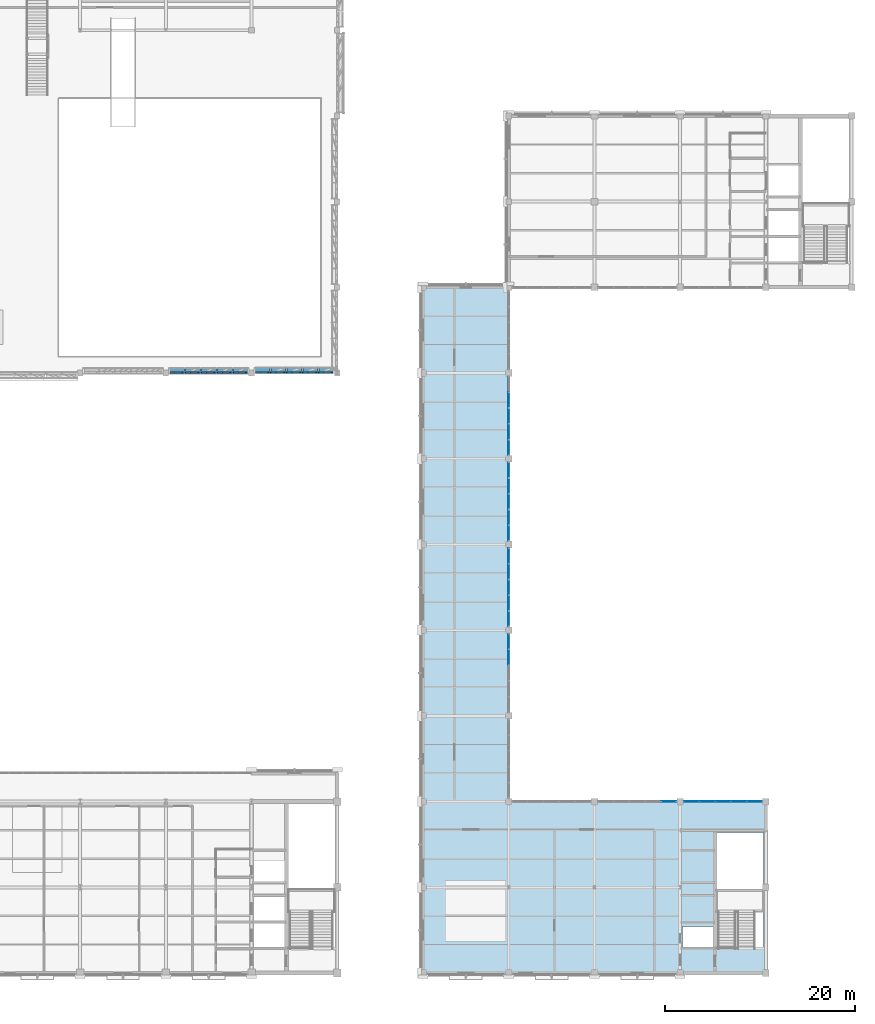
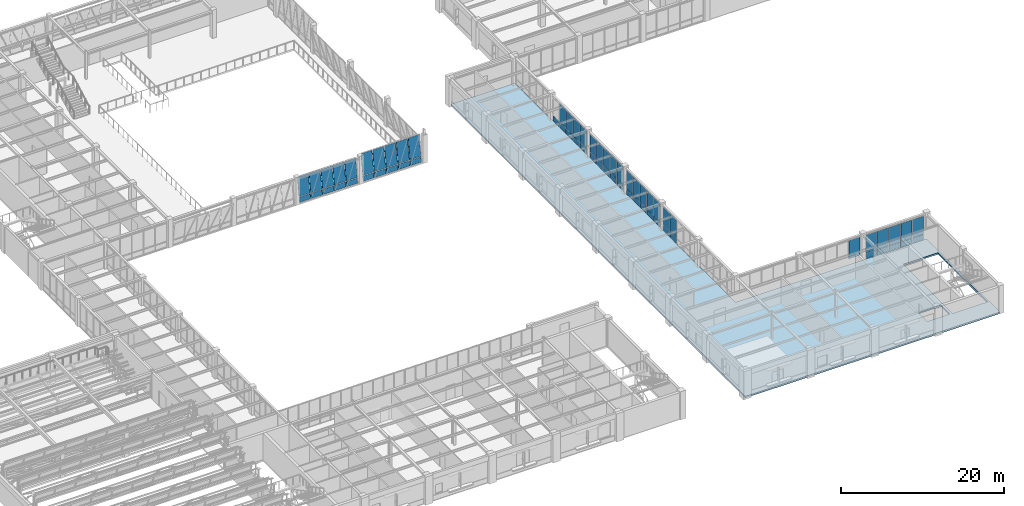
# One storey, part 83 of 108: 64 plates, 1 slab, 1 opening, 8 elements without a shape of their own.
"""IFC4 building model written with IfcOpenShell, lengths in metres."""

from ifc_helpers import new_model, si_unit, direction, frame, origin, origin_2d, place, context, subcontext, project, spatial, polyline, rectangle, outline, extrude, material, layer, layer_set, type_object, element, aggregate, save


model = new_model("IFC4")

# Units and contexts
model_context = context("Model", 3, precision=1e-05, world=origin(), true_north=direction((0.0, 1.0)))
body_context = subcontext(model_context, "Body", "Model", "MODEL_VIEW")
ifc_project = project(units=[si_unit("LENGTHUNIT", "METRE"), si_unit("AREAUNIT", "SQUARE_METRE"), si_unit("VOLUMEUNIT", "CUBIC_METRE"), si_unit("PLANEANGLEUNIT", "RADIAN"), si_unit("MASSUNIT", "GRAM", prefix="KILO")], contexts=[model_context])

# Site, building, storey
site_placement = place(None, origin())
site = spatial("IfcSite", under=ifc_project, at=site_placement, CompositionType="ELEMENT")
building_placement = place(site_placement, origin())
building = spatial("IfcBuilding", under=site, at=building_placement, Name="Lykobir Media Centre", CompositionType="ELEMENT")
storey_placement = place(building_placement, frame((0.0, 0.0, 15.0)))
storey = spatial("IfcBuildingStorey", under=building, at=storey_placement, Name="L03", CompositionType="ELEMENT", Elevation=15.0)

# Curtain wall, plate
ifc_material_1 = material(Name="Anodized Aluminium AW-6060", Category="aluminium")
curtain_wall_type_1 = type_object("IfcCurtainWallType", Name="CW-COURT-B", PredefinedType="NOTDEFINED", material=ifc_material_1)
curtain_wall_1_placement = place(storey_placement, origin())
curtain_wall_1 = element("IfcCurtainWall", 1, at=curtain_wall_1_placement, inside=storey, type_object=curtain_wall_type_1, Name="Curtain wall CW2-L03-0138", PredefinedType="NOTDEFINED")
ifc_material_2 = material(Name="Low-E Laminated Triple Glazing", Category="glass")
ifc_layer_1 = layer(ifc_material_2, 0.0380859375, Name="Low-E Laminated Triple Glazing")
ifc_layer_set_1 = layer_set([ifc_layer_1], Name="Low-E Laminated Triple Glazing")
plate_type_1 = type_object("IfcPlateType", Name="CWP-GLZ-38", PredefinedType="CURTAIN_PANEL", material=ifc_layer_set_1)
plate_1_placement = place(storey_placement, frame((115.80224609375, 18.0, 0.87744140625), z_axis=(0.0, 0.0, 1.0), x_axis=(1.0, 0.0, 0.0)))
plate_1 = element("IfcPlate", 2, at=plate_1_placement, type_object=plate_type_1, Name="CW2-L03-0138 panel 5.2", PredefinedType="CURTAIN_PANEL", context=body_context, shape_type="SweptSolid", body=[
    extrude(rectangle(XDim=1.575439453125, YDim=0.0380859375, at=origin_2d()), origin(), (0.0, 0.0, 1.0), 2.702392578125),
])
aggregate(curtain_wall_1, [plate_1])

# Curtain wall, plates
curtain_wall_2_placement = place(storey_placement, origin())
curtain_wall_2 = element("IfcCurtainWall", 3, at=curtain_wall_2_placement, inside=storey, type_object=curtain_wall_type_1, Name="Curtain wall CW2-L03-0139", PredefinedType="NOTDEFINED")
plate_2_placement = place(storey_placement, frame((118.19775390625, 18.0, 0.87744140625), z_axis=(0.0, 0.0, 1.0), x_axis=(1.0, 0.0, 0.0)))
plate_2 = element("IfcPlate", 4, at=plate_2_placement, type_object=plate_type_1, Name="CW2-L03-0139 panel 1.2", PredefinedType="CURTAIN_PANEL", context=body_context, shape_type="SweptSolid", body=[
    extrude(rectangle(XDim=1.575439453125, YDim=0.0380859375, at=origin_2d()), origin(), (0.0, 0.0, 1.0), 2.702392578125),
])
plate_3_placement = place(storey_placement, frame((119.842041015625, 18.0, 0.87744140625), z_axis=(0.0, 0.0, 1.0), x_axis=(1.0, 0.0, 0.0)))
plate_3 = element("IfcPlate", 5, at=plate_3_placement, type_object=plate_type_1, Name="CW2-L03-0139 panel 2.2", PredefinedType="CURTAIN_PANEL", context=body_context, shape_type="SweptSolid", body=[
    extrude(rectangle(XDim=1.60302734375, YDim=0.0380859375, at=origin_2d()), origin(), (0.0, 0.0, 1.0), 2.702392578125),
])
plate_4_placement = place(storey_placement, frame((121.5, 18.0, 0.87744140625), z_axis=(0.0, 0.0, 1.0), x_axis=(1.0, 0.0, 0.0)))
plate_4 = element("IfcPlate", 6, at=plate_4_placement, type_object=plate_type_1, Name="CW2-L03-0139 panel 3.2", PredefinedType="CURTAIN_PANEL", context=body_context, shape_type="SweptSolid", body=[
    extrude(rectangle(XDim=1.60302734375, YDim=0.0380859375, at=origin_2d()), origin(), (0.0, 0.0, 1.0), 2.702392578125),
])
plate_5_placement = place(storey_placement, frame((123.157958984375, 18.0, 0.87744140625), z_axis=(0.0, 0.0, 1.0), x_axis=(1.0, 0.0, 0.0)))
plate_5 = element("IfcPlate", 7, at=plate_5_placement, type_object=plate_type_1, Name="CW2-L03-0139 panel 4.2", PredefinedType="CURTAIN_PANEL", context=body_context, shape_type="SweptSolid", body=[
    extrude(rectangle(XDim=1.60302734375, YDim=0.0380859375, at=origin_2d()), origin(), (0.0, 0.0, 1.0), 2.702392578125),
])
plate_6_placement = place(storey_placement, frame((124.80224609375, 18.0, 0.87744140625), z_axis=(0.0, 0.0, 1.0), x_axis=(1.0, 0.0, 0.0)))
plate_6 = element("IfcPlate", 8, at=plate_6_placement, type_object=plate_type_1, Name="CW2-L03-0139 panel 5.2", PredefinedType="CURTAIN_PANEL", context=body_context, shape_type="SweptSolid", body=[
    extrude(rectangle(XDim=1.575439453125, YDim=0.0380859375, at=origin_2d()), origin(), (0.0, 0.0, 1.0), 2.702392578125),
])

curtain_wall_3_placement = place(storey_placement, origin())
curtain_wall_3 = element("IfcCurtainWall", 9, at=curtain_wall_3_placement, inside=storey, type_object=curtain_wall_type_1, Name="Curtain wall CW2-L03-0141", PredefinedType="NOTDEFINED")
plate_7_placement = place(storey_placement, frame((99.0, 34.80224609375, 0.87744140625), z_axis=(0.0, 0.0, 1.0), x_axis=(0.0, -1.0, 0.0)))
plate_7 = element("IfcPlate", 10, at=plate_7_placement, type_object=plate_type_1, Name="CW2-L03-0141 panel 1.2", PredefinedType="CURTAIN_PANEL", context=body_context, shape_type="SweptSolid", body=[
    extrude(rectangle(XDim=1.575439453125, YDim=0.0380859375, at=origin_2d()), origin(), (0.0, 0.0, 1.0), 2.702392578125),
])
plate_8_placement = place(storey_placement, frame((99.0, 33.157958984375, 0.87744140625), z_axis=(0.0, 0.0, 1.0), x_axis=(0.0, -1.0, 0.0)))
plate_8 = element("IfcPlate", 11, at=plate_8_placement, type_object=plate_type_1, Name="CW2-L03-0141 panel 2.2", PredefinedType="CURTAIN_PANEL", context=body_context, shape_type="SweptSolid", body=[
    extrude(rectangle(XDim=1.60302734375, YDim=0.0380859375, at=origin_2d()), origin(), (0.0, 0.0, 1.0), 2.702392578125),
])

curtain_wall_4_placement = place(storey_placement, origin())
curtain_wall_4 = element("IfcCurtainWall", 12, at=curtain_wall_4_placement, inside=storey, type_object=curtain_wall_type_1, Name="Curtain wall CW2-L03-0142", PredefinedType="NOTDEFINED")
plate_9_placement = place(storey_placement, frame((99.0, 43.80224609375, 0.87744140625), z_axis=(0.0, 0.0, 1.0), x_axis=(0.0, -1.0, 0.0)))
plate_9 = element("IfcPlate", 13, at=plate_9_placement, type_object=plate_type_1, Name="CW2-L03-0142 panel 1.2", PredefinedType="CURTAIN_PANEL", context=body_context, shape_type="SweptSolid", body=[
    extrude(rectangle(XDim=1.575439453125, YDim=0.0380859375, at=origin_2d()), origin(), (0.0, 0.0, 1.0), 2.702392578125),
])
plate_10_placement = place(storey_placement, frame((99.0, 42.157958984375, 0.87744140625), z_axis=(0.0, 0.0, 1.0), x_axis=(0.0, -1.0, 0.0)))
plate_10 = element("IfcPlate", 14, at=plate_10_placement, type_object=plate_type_1, Name="CW2-L03-0142 panel 2.2", PredefinedType="CURTAIN_PANEL", context=body_context, shape_type="SweptSolid", body=[
    extrude(rectangle(XDim=1.60302734375, YDim=0.0380859375, at=origin_2d()), origin(), (0.0, 0.0, 1.0), 2.702392578125),
])
plate_11_placement = place(storey_placement, frame((99.0, 40.5, 0.87744140625), z_axis=(0.0, 0.0, 1.0), x_axis=(0.0, -1.0, 0.0)))
plate_11 = element("IfcPlate", 15, at=plate_11_placement, type_object=plate_type_1, Name="CW2-L03-0142 panel 3.2", PredefinedType="CURTAIN_PANEL", context=body_context, shape_type="SweptSolid", body=[
    extrude(rectangle(XDim=1.60302734375, YDim=0.0380859375, at=origin_2d()), origin(), (0.0, 0.0, 1.0), 2.702392578125),
])
plate_12_placement = place(storey_placement, frame((99.0, 38.842041015625, 0.87744140625), z_axis=(0.0, 0.0, 1.0), x_axis=(0.0, -1.0, 0.0)))
plate_12 = element("IfcPlate", 16, at=plate_12_placement, type_object=plate_type_1, Name="CW2-L03-0142 panel 4.2", PredefinedType="CURTAIN_PANEL", context=body_context, shape_type="SweptSolid", body=[
    extrude(rectangle(XDim=1.60302734375, YDim=0.0380859375, at=origin_2d()), origin(), (0.0, 0.0, 1.0), 2.702392578125),
])
plate_13_placement = place(storey_placement, frame((99.0, 37.19775390625, 0.87744140625), z_axis=(0.0, 0.0, 1.0), x_axis=(0.0, -1.0, 0.0)))
plate_13 = element("IfcPlate", 17, at=plate_13_placement, type_object=plate_type_1, Name="CW2-L03-0142 panel 5.2", PredefinedType="CURTAIN_PANEL", context=body_context, shape_type="SweptSolid", body=[
    extrude(rectangle(XDim=1.575439453125, YDim=0.0380859375, at=origin_2d()), origin(), (0.0, 0.0, 1.0), 2.702392578125),
])

curtain_wall_5_placement = place(storey_placement, origin())
curtain_wall_5 = element("IfcCurtainWall", 18, at=curtain_wall_5_placement, inside=storey, type_object=curtain_wall_type_1, Name="Curtain wall CW2-L03-0143", PredefinedType="NOTDEFINED")
plate_14_placement = place(storey_placement, frame((99.0, 52.80224609375, 0.87744140625), z_axis=(0.0, 0.0, 1.0), x_axis=(0.0, -1.0, 0.0)))
plate_14 = element("IfcPlate", 19, at=plate_14_placement, type_object=plate_type_1, Name="CW2-L03-0143 panel 1.2", PredefinedType="CURTAIN_PANEL", context=body_context, shape_type="SweptSolid", body=[
    extrude(rectangle(XDim=1.575439453125, YDim=0.0380859375, at=origin_2d()), origin(), (0.0, 0.0, 1.0), 2.702392578125),
])
plate_15_placement = place(storey_placement, frame((99.0, 51.157958984375, 0.87744140625), z_axis=(0.0, 0.0, 1.0), x_axis=(0.0, -1.0, 0.0)))
plate_15 = element("IfcPlate", 20, at=plate_15_placement, type_object=plate_type_1, Name="CW2-L03-0143 panel 2.2", PredefinedType="CURTAIN_PANEL", context=body_context, shape_type="SweptSolid", body=[
    extrude(rectangle(XDim=1.60302734375, YDim=0.0380859375, at=origin_2d()), origin(), (0.0, 0.0, 1.0), 2.702392578125),
])
plate_16_placement = place(storey_placement, frame((99.0, 49.5, 0.87744140625), z_axis=(0.0, 0.0, 1.0), x_axis=(0.0, -1.0, 0.0)))
plate_16 = element("IfcPlate", 21, at=plate_16_placement, type_object=plate_type_1, Name="CW2-L03-0143 panel 3.2", PredefinedType="CURTAIN_PANEL", context=body_context, shape_type="SweptSolid", body=[
    extrude(rectangle(XDim=1.60302734375, YDim=0.0380859375, at=origin_2d()), origin(), (0.0, 0.0, 1.0), 2.702392578125),
])
plate_17_placement = place(storey_placement, frame((99.0, 47.842041015625, 0.87744140625), z_axis=(0.0, 0.0, 1.0), x_axis=(0.0, -1.0, 0.0)))
plate_17 = element("IfcPlate", 22, at=plate_17_placement, type_object=plate_type_1, Name="CW2-L03-0143 panel 4.2", PredefinedType="CURTAIN_PANEL", context=body_context, shape_type="SweptSolid", body=[
    extrude(rectangle(XDim=1.60302734375, YDim=0.0380859375, at=origin_2d()), origin(), (0.0, 0.0, 1.0), 2.702392578125),
])
plate_18_placement = place(storey_placement, frame((99.0, 46.19775390625, 0.87744140625), z_axis=(0.0, 0.0, 1.0), x_axis=(0.0, -1.0, 0.0)))
plate_18 = element("IfcPlate", 23, at=plate_18_placement, type_object=plate_type_1, Name="CW2-L03-0143 panel 5.2", PredefinedType="CURTAIN_PANEL", context=body_context, shape_type="SweptSolid", body=[
    extrude(rectangle(XDim=1.575439453125, YDim=0.0380859375, at=origin_2d()), origin(), (0.0, 0.0, 1.0), 2.702392578125),
])

curtain_wall_6_placement = place(storey_placement, origin())
curtain_wall_6 = element("IfcCurtainWall", 24, at=curtain_wall_6_placement, inside=storey, type_object=curtain_wall_type_1, Name="Curtain wall CW2-L03-0144", PredefinedType="NOTDEFINED")
plate_19_placement = place(storey_placement, frame((99.0, 60.157958984375, 0.87744140625), z_axis=(0.0, 0.0, 1.0), x_axis=(0.0, -1.0, 0.0)))
plate_19 = element("IfcPlate", 25, at=plate_19_placement, type_object=plate_type_1, Name="CW2-L03-0144 panel 2.2", PredefinedType="CURTAIN_PANEL", context=body_context, shape_type="SweptSolid", body=[
    extrude(rectangle(XDim=1.60302734375, YDim=0.0380859375, at=origin_2d()), origin(), (0.0, 0.0, 1.0), 2.702392578125),
])
plate_20_placement = place(storey_placement, frame((99.0, 58.5, 0.87744140625), z_axis=(0.0, 0.0, 1.0), x_axis=(0.0, -1.0, 0.0)))
plate_20 = element("IfcPlate", 26, at=plate_20_placement, type_object=plate_type_1, Name="CW2-L03-0144 panel 3.2", PredefinedType="CURTAIN_PANEL", context=body_context, shape_type="SweptSolid", body=[
    extrude(rectangle(XDim=1.60302734375, YDim=0.0380859375, at=origin_2d()), origin(), (0.0, 0.0, 1.0), 2.702392578125),
])
plate_21_placement = place(storey_placement, frame((99.0, 56.842041015625, 0.87744140625), z_axis=(0.0, 0.0, 1.0), x_axis=(0.0, -1.0, 0.0)))
plate_21 = element("IfcPlate", 27, at=plate_21_placement, type_object=plate_type_1, Name="CW2-L03-0144 panel 4.2", PredefinedType="CURTAIN_PANEL", context=body_context, shape_type="SweptSolid", body=[
    extrude(rectangle(XDim=1.60302734375, YDim=0.0380859375, at=origin_2d()), origin(), (0.0, 0.0, 1.0), 2.702392578125),
])
plate_22_placement = place(storey_placement, frame((99.0, 55.19775390625, 0.87744140625), z_axis=(0.0, 0.0, 1.0), x_axis=(0.0, -1.0, 0.0)))
plate_22 = element("IfcPlate", 28, at=plate_22_placement, type_object=plate_type_1, Name="CW2-L03-0144 panel 5.2", PredefinedType="CURTAIN_PANEL", context=body_context, shape_type="SweptSolid", body=[
    extrude(rectangle(XDim=1.575439453125, YDim=0.0380859375, at=origin_2d()), origin(), (0.0, 0.0, 1.0), 2.702392578125),
])

curtain_wall_type_2 = type_object("IfcCurtainWallType", Name="CW-V6-CR3", PredefinedType="NOTDEFINED", material=ifc_material_1)
curtain_wall_7_placement = place(storey_placement, origin())
curtain_wall_7 = element("IfcCurtainWall", 29, at=curtain_wall_7_placement, inside=storey, type_object=curtain_wall_type_2, Name="Curtain wall CW2-L03-0123", PredefinedType="NOTDEFINED")
ifc_layer_2 = layer(ifc_material_2, 0.0439453125, Name="Low-E Laminated Triple Glazing")
ifc_layer_set_2 = layer_set([ifc_layer_2], Name="Low-E Laminated Triple Glazing")
plate_type_2 = type_object("IfcPlateType", Name="CWP-GLZ-44", PredefinedType="CURTAIN_PANEL", material=ifc_layer_set_2)
plate_23_placement = place(storey_placement, frame((70.837158203125, 63.126708984375, 0.87841796875), z_axis=(0.0, 0.142628933706, 0.989776230908), x_axis=(-1.0, 0.0, 0.0)))
plate_23 = element("IfcPlate", 30, at=plate_23_placement, type_object=plate_type_2, Name="CW2-L03-0123 panel 1.2", PredefinedType="CURTAIN_PANEL", context=body_context, shape_type="SweptSolid", body=[
    extrude(rectangle(XDim=1.5654296875, YDim=0.0439453125, at=origin_2d()), origin(), (0.0, 0.0, 1.0), 2.7099609375),
])
plate_24_placement = place(storey_placement, frame((69.177978515625, 63.126708984375, 0.87841796875), z_axis=(0.0, 0.142628933706, 0.989776230908), x_axis=(-1.0, 0.0, 0.0)))
plate_24 = element("IfcPlate", 31, at=plate_24_placement, type_object=plate_type_2, Name="CW2-L03-0123 panel 2.2", PredefinedType="CURTAIN_PANEL", context=body_context, shape_type="SweptSolid", body=[
    extrude(rectangle(XDim=1.60302734375, YDim=0.0439453125, at=origin_2d()), origin(), (0.0, 0.0, 1.0), 2.7099609375),
])
plate_25_placement = place(storey_placement, frame((67.5, 63.126708984375, 0.87841796875), z_axis=(0.0, 0.142628933706, 0.989776230908), x_axis=(-1.0, 0.0, 0.0)))
plate_25 = element("IfcPlate", 32, at=plate_25_placement, type_object=plate_type_2, Name="CW2-L03-0123 panel 3.2", PredefinedType="CURTAIN_PANEL", context=body_context, shape_type="SweptSolid", body=[
    extrude(rectangle(XDim=1.60302734375, YDim=0.0439453125, at=origin_2d()), origin(), (0.0, 0.0, 1.0), 2.7099609375),
])
plate_26_placement = place(storey_placement, frame((65.822021484375, 63.126708984375, 0.87841796875), z_axis=(0.0, 0.142628933706, 0.989776230908), x_axis=(-1.0, 0.0, 0.0)))
plate_26 = element("IfcPlate", 33, at=plate_26_placement, type_object=plate_type_2, Name="CW2-L03-0123 panel 4.2", PredefinedType="CURTAIN_PANEL", context=body_context, shape_type="SweptSolid", body=[
    extrude(rectangle(XDim=1.60302734375, YDim=0.0439453125, at=origin_2d()), origin(), (0.0, 0.0, 1.0), 2.7099609375),
])
plate_27_placement = place(storey_placement, frame((64.162841796875, 63.126708984375, 0.87841796875), z_axis=(0.0, 0.142628933706, 0.989776230908), x_axis=(-1.0, 0.0, 0.0)))
plate_27 = element("IfcPlate", 34, at=plate_27_placement, type_object=plate_type_2, Name="CW2-L03-0123 panel 5.2", PredefinedType="CURTAIN_PANEL", context=body_context, shape_type="SweptSolid", body=[
    extrude(rectangle(XDim=1.5654296875, YDim=0.0439453125, at=origin_2d()), origin(), (0.0, 0.0, 1.0), 2.7099609375),
])

curtain_wall_8_placement = place(storey_placement, origin())
curtain_wall_8 = element("IfcCurtainWall", 35, at=curtain_wall_8_placement, inside=storey, type_object=curtain_wall_type_2, Name="Curtain wall CW2-L03-0124", PredefinedType="NOTDEFINED")
plate_28_placement = place(storey_placement, frame((79.837158203125, 63.126708984375, 0.87841796875), z_axis=(0.0, 0.142628933706, 0.989776230908), x_axis=(-1.0, 0.0, 0.0)))
plate_28 = element("IfcPlate", 36, at=plate_28_placement, type_object=plate_type_2, Name="CW2-L03-0124 panel 1.2", PredefinedType="CURTAIN_PANEL", context=body_context, shape_type="SweptSolid", body=[
    extrude(rectangle(XDim=1.5654296875, YDim=0.0439453125, at=origin_2d()), origin(), (0.0, 0.0, 1.0), 3.018310546875),
])
plate_29_placement = place(storey_placement, frame((78.177978515625, 63.126708984375, 0.87841796875), z_axis=(0.0, 0.142628933706, 0.989776230908), x_axis=(-1.0, 0.0, 0.0)))
plate_29 = element("IfcPlate", 37, at=plate_29_placement, type_object=plate_type_2, Name="CW2-L03-0124 panel 2.2", PredefinedType="CURTAIN_PANEL", context=body_context, shape_type="SweptSolid", body=[
    extrude(rectangle(XDim=1.60302734375, YDim=0.0439453125, at=origin_2d()), origin(), (0.0, 0.0, 1.0), 3.018310546875),
])
plate_30_placement = place(storey_placement, frame((76.5, 63.126708984375, 0.87841796875), z_axis=(0.0, 0.142628933706, 0.989776230908), x_axis=(-1.0, 0.0, 0.0)))
plate_30 = element("IfcPlate", 38, at=plate_30_placement, type_object=plate_type_2, Name="CW2-L03-0124 panel 3.2", PredefinedType="CURTAIN_PANEL", context=body_context, shape_type="SweptSolid", body=[
    extrude(rectangle(XDim=1.60302734375, YDim=0.0439453125, at=origin_2d()), origin(), (0.0, 0.0, 1.0), 3.018310546875),
])
plate_31_placement = place(storey_placement, frame((74.822021484375, 63.126708984375, 0.87841796875), z_axis=(0.0, 0.142628933706, 0.989776230908), x_axis=(-1.0, 0.0, 0.0)))
plate_31 = element("IfcPlate", 39, at=plate_31_placement, type_object=plate_type_2, Name="CW2-L03-0124 panel 4.2", PredefinedType="CURTAIN_PANEL", context=body_context, shape_type="SweptSolid", body=[
    extrude(rectangle(XDim=1.60302734375, YDim=0.0439453125, at=origin_2d()), origin(), (0.0, 0.0, 1.0), 3.018310546875),
])
plate_32_placement = place(storey_placement, frame((73.162841796875, 63.126708984375, 0.87841796875), z_axis=(0.0, 0.142628933706, 0.989776230908), x_axis=(-1.0, 0.0, 0.0)))
plate_32 = element("IfcPlate", 40, at=plate_32_placement, type_object=plate_type_2, Name="CW2-L03-0124 panel 5.2", PredefinedType="CURTAIN_PANEL", context=body_context, shape_type="SweptSolid", body=[
    extrude(rectangle(XDim=1.5654296875, YDim=0.0439453125, at=origin_2d()), origin(), (0.0, 0.0, 1.0), 3.018310546875),
])

# Plate
ifc_material_3 = material(Name="Pre-Weathered Titanium-Zinc", Category="metal")
ifc_layer_3 = layer(ifc_material_3, 0.052001953125, Name="Pre-Weathered Titanium-Zinc")
ifc_layer_set_3 = layer_set([ifc_layer_3], Name="Pre-Weathered Titanium-Zinc")
plate_type_3 = type_object("IfcPlateType", Name="CWP-SPN-52", PredefinedType="CURTAIN_PANEL", material=ifc_layer_set_3)
plate_33_placement = place(storey_placement, frame((70.837158203125, 63.0107421875, 0.07421875), z_axis=(0.0, 0.142628933706, 0.989776230908), x_axis=(-1.0, 0.0, 0.0)))
plate_33 = element("IfcPlate", 41, at=plate_33_placement, type_object=plate_type_3, Name="CW2-L03-0123 panel 1.1", PredefinedType="CURTAIN_PANEL", context=body_context, shape_type="SweptSolid", body=[
    extrude(rectangle(XDim=1.5654296875, YDim=0.052001953125, at=origin_2d()), origin(), (0.0, 0.0, 1.0), 0.737548828125),
])

plate_34_placement = place(storey_placement, frame((69.177978515625, 63.0107421875, 0.07421875), z_axis=(0.0, 0.142628933706, 0.989776230908), x_axis=(-1.0, 0.0, 0.0)))
plate_34 = element("IfcPlate", 42, at=plate_34_placement, type_object=plate_type_3, Name="CW2-L03-0123 panel 2.1", PredefinedType="CURTAIN_PANEL", context=body_context, shape_type="SweptSolid", body=[
    extrude(rectangle(XDim=1.60302734375, YDim=0.052001953125, at=origin_2d()), origin(), (0.0, 0.0, 1.0), 0.737548828125),
])

plate_35_placement = place(storey_placement, frame((67.5, 63.0107421875, 0.07421875), z_axis=(0.0, 0.142628933706, 0.989776230908), x_axis=(-1.0, 0.0, 0.0)))
plate_35 = element("IfcPlate", 43, at=plate_35_placement, type_object=plate_type_3, Name="CW2-L03-0123 panel 3.1", PredefinedType="CURTAIN_PANEL", context=body_context, shape_type="SweptSolid", body=[
    extrude(rectangle(XDim=1.60302734375, YDim=0.052001953125, at=origin_2d()), origin(), (0.0, 0.0, 1.0), 0.737548828125),
])

plate_36_placement = place(storey_placement, frame((65.822021484375, 63.0107421875, 0.07421875), z_axis=(0.0, 0.142628933706, 0.989776230908), x_axis=(-1.0, 0.0, 0.0)))
plate_36 = element("IfcPlate", 44, at=plate_36_placement, type_object=plate_type_3, Name="CW2-L03-0123 panel 4.1", PredefinedType="CURTAIN_PANEL", context=body_context, shape_type="SweptSolid", body=[
    extrude(rectangle(XDim=1.60302734375, YDim=0.052001953125, at=origin_2d()), origin(), (0.0, 0.0, 1.0), 0.737548828125),
])

plate_37_placement = place(storey_placement, frame((64.162841796875, 63.0107421875, 0.07421875), z_axis=(0.0, 0.142628933706, 0.989776230908), x_axis=(-1.0, 0.0, 0.0)))
plate_37 = element("IfcPlate", 45, at=plate_37_placement, type_object=plate_type_3, Name="CW2-L03-0123 panel 5.1", PredefinedType="CURTAIN_PANEL", context=body_context, shape_type="SweptSolid", body=[
    extrude(rectangle(XDim=1.5654296875, YDim=0.052001953125, at=origin_2d()), origin(), (0.0, 0.0, 1.0), 0.737548828125),
])

aggregate(curtain_wall_7, [plate_33, plate_23, plate_34, plate_24, plate_35, plate_25, plate_36, plate_26, plate_37, plate_27])

plate_38_placement = place(storey_placement, frame((79.837158203125, 63.0107421875, 0.07421875), z_axis=(0.0, 0.142628933706, 0.989776230908), x_axis=(-1.0, 0.0, 0.0)))
plate_38 = element("IfcPlate", 46, at=plate_38_placement, type_object=plate_type_3, Name="CW2-L03-0124 panel 1.1", PredefinedType="CURTAIN_PANEL", context=body_context, shape_type="SweptSolid", body=[
    extrude(rectangle(XDim=1.5654296875, YDim=0.052001953125, at=origin_2d()), origin(), (0.0, 0.0, 1.0), 0.737548828125),
])

plate_39_placement = place(storey_placement, frame((78.177978515625, 63.0107421875, 0.07421875), z_axis=(0.0, 0.142628933706, 0.989776230908), x_axis=(-1.0, 0.0, 0.0)))
plate_39 = element("IfcPlate", 47, at=plate_39_placement, type_object=plate_type_3, Name="CW2-L03-0124 panel 2.1", PredefinedType="CURTAIN_PANEL", context=body_context, shape_type="SweptSolid", body=[
    extrude(rectangle(XDim=1.60302734375, YDim=0.052001953125, at=origin_2d()), origin(), (0.0, 0.0, 1.0), 0.737548828125),
])

plate_40_placement = place(storey_placement, frame((76.5, 63.0107421875, 0.07421875), z_axis=(0.0, 0.142628933706, 0.989776230908), x_axis=(-1.0, 0.0, 0.0)))
plate_40 = element("IfcPlate", 48, at=plate_40_placement, type_object=plate_type_3, Name="CW2-L03-0124 panel 3.1", PredefinedType="CURTAIN_PANEL", context=body_context, shape_type="SweptSolid", body=[
    extrude(rectangle(XDim=1.60302734375, YDim=0.052001953125, at=origin_2d()), origin(), (0.0, 0.0, 1.0), 0.737548828125),
])

plate_41_placement = place(storey_placement, frame((74.822021484375, 63.0107421875, 0.07421875), z_axis=(0.0, 0.142628933706, 0.989776230908), x_axis=(-1.0, 0.0, 0.0)))
plate_41 = element("IfcPlate", 49, at=plate_41_placement, type_object=plate_type_3, Name="CW2-L03-0124 panel 4.1", PredefinedType="CURTAIN_PANEL", context=body_context, shape_type="SweptSolid", body=[
    extrude(rectangle(XDim=1.60302734375, YDim=0.052001953125, at=origin_2d()), origin(), (0.0, 0.0, 1.0), 0.737548828125),
])

plate_42_placement = place(storey_placement, frame((73.162841796875, 63.0107421875, 0.07421875), z_axis=(0.0, 0.142628933706, 0.989776230908), x_axis=(-1.0, 0.0, 0.0)))
plate_42 = element("IfcPlate", 50, at=plate_42_placement, type_object=plate_type_3, Name="CW2-L03-0124 panel 5.1", PredefinedType="CURTAIN_PANEL", context=body_context, shape_type="SweptSolid", body=[
    extrude(rectangle(XDim=1.5654296875, YDim=0.052001953125, at=origin_2d()), origin(), (0.0, 0.0, 1.0), 0.737548828125),
])

aggregate(curtain_wall_8, [plate_38, plate_28, plate_39, plate_29, plate_40, plate_30, plate_41, plate_31, plate_42, plate_32])

plate_43_placement = place(storey_placement, frame((118.19775390625, 18.0, 0.054931640625), z_axis=(0.0, 0.0, 1.0), x_axis=(1.0, 0.0, 0.0)))
plate_43 = element("IfcPlate", 51, at=plate_43_placement, type_object=plate_type_3, Name="CW2-L03-0139 panel 1.1", PredefinedType="CURTAIN_PANEL", context=body_context, shape_type="SweptSolid", body=[
    extrude(rectangle(XDim=1.575439453125, YDim=0.052001953125, at=origin_2d()), origin(), (0.0, 0.0, 1.0), 0.767578125),
])

plate_44_placement = place(storey_placement, frame((119.842041015625, 18.0, 0.054931640625), z_axis=(0.0, 0.0, 1.0), x_axis=(1.0, 0.0, 0.0)))
plate_44 = element("IfcPlate", 52, at=plate_44_placement, type_object=plate_type_3, Name="CW2-L03-0139 panel 2.1", PredefinedType="CURTAIN_PANEL", context=body_context, shape_type="SweptSolid", body=[
    extrude(rectangle(XDim=1.60302734375, YDim=0.052001953125, at=origin_2d()), origin(), (0.0, 0.0, 1.0), 0.767578125),
])

plate_45_placement = place(storey_placement, frame((121.5, 18.0, 0.054931640625), z_axis=(0.0, 0.0, 1.0), x_axis=(1.0, 0.0, 0.0)))
plate_45 = element("IfcPlate", 53, at=plate_45_placement, type_object=plate_type_3, Name="CW2-L03-0139 panel 3.1", PredefinedType="CURTAIN_PANEL", context=body_context, shape_type="SweptSolid", body=[
    extrude(rectangle(XDim=1.60302734375, YDim=0.052001953125, at=origin_2d()), origin(), (0.0, 0.0, 1.0), 0.767578125),
])

plate_46_placement = place(storey_placement, frame((123.157958984375, 18.0, 0.054931640625), z_axis=(0.0, 0.0, 1.0), x_axis=(1.0, 0.0, 0.0)))
plate_46 = element("IfcPlate", 54, at=plate_46_placement, type_object=plate_type_3, Name="CW2-L03-0139 panel 4.1", PredefinedType="CURTAIN_PANEL", context=body_context, shape_type="SweptSolid", body=[
    extrude(rectangle(XDim=1.60302734375, YDim=0.052001953125, at=origin_2d()), origin(), (0.0, 0.0, 1.0), 0.767578125),
])

plate_47_placement = place(storey_placement, frame((124.80224609375, 18.0, 0.054931640625), z_axis=(0.0, 0.0, 1.0), x_axis=(1.0, 0.0, 0.0)))
plate_47 = element("IfcPlate", 55, at=plate_47_placement, type_object=plate_type_3, Name="CW2-L03-0139 panel 5.1", PredefinedType="CURTAIN_PANEL", context=body_context, shape_type="SweptSolid", body=[
    extrude(rectangle(XDim=1.575439453125, YDim=0.052001953125, at=origin_2d()), origin(), (0.0, 0.0, 1.0), 0.767578125),
])

aggregate(curtain_wall_2, [plate_43, plate_2, plate_44, plate_3, plate_45, plate_4, plate_46, plate_5, plate_47, plate_6])

plate_48_placement = place(storey_placement, frame((99.0, 34.80224609375, 0.054931640625), z_axis=(0.0, 0.0, 1.0), x_axis=(0.0, -1.0, 0.0)))
plate_48 = element("IfcPlate", 56, at=plate_48_placement, type_object=plate_type_3, Name="CW2-L03-0141 panel 1.1", PredefinedType="CURTAIN_PANEL", context=body_context, shape_type="SweptSolid", body=[
    extrude(rectangle(XDim=1.575439453125, YDim=0.052001953125, at=origin_2d()), origin(), (0.0, 0.0, 1.0), 0.767578125),
])

plate_49_placement = place(storey_placement, frame((99.0, 33.157958984375, 0.054931640625), z_axis=(0.0, 0.0, 1.0), x_axis=(0.0, -1.0, 0.0)))
plate_49 = element("IfcPlate", 57, at=plate_49_placement, type_object=plate_type_3, Name="CW2-L03-0141 panel 2.1", PredefinedType="CURTAIN_PANEL", context=body_context, shape_type="SweptSolid", body=[
    extrude(rectangle(XDim=1.60302734375, YDim=0.052001953125, at=origin_2d()), origin(), (0.0, 0.0, 1.0), 0.767578125),
])

aggregate(curtain_wall_3, [plate_48, plate_7, plate_49, plate_8])

plate_50_placement = place(storey_placement, frame((99.0, 43.80224609375, 0.054931640625), z_axis=(0.0, 0.0, 1.0), x_axis=(0.0, -1.0, 0.0)))
plate_50 = element("IfcPlate", 58, at=plate_50_placement, type_object=plate_type_3, Name="CW2-L03-0142 panel 1.1", PredefinedType="CURTAIN_PANEL", context=body_context, shape_type="SweptSolid", body=[
    extrude(rectangle(XDim=1.575439453125, YDim=0.052001953125, at=origin_2d()), origin(), (0.0, 0.0, 1.0), 0.767578125),
])

plate_51_placement = place(storey_placement, frame((99.0, 42.157958984375, 0.054931640625), z_axis=(0.0, 0.0, 1.0), x_axis=(0.0, -1.0, 0.0)))
plate_51 = element("IfcPlate", 59, at=plate_51_placement, type_object=plate_type_3, Name="CW2-L03-0142 panel 2.1", PredefinedType="CURTAIN_PANEL", context=body_context, shape_type="SweptSolid", body=[
    extrude(rectangle(XDim=1.60302734375, YDim=0.052001953125, at=origin_2d()), origin(), (0.0, 0.0, 1.0), 0.767578125),
])

plate_52_placement = place(storey_placement, frame((99.0, 40.5, 0.054931640625), z_axis=(0.0, 0.0, 1.0), x_axis=(0.0, -1.0, 0.0)))
plate_52 = element("IfcPlate", 60, at=plate_52_placement, type_object=plate_type_3, Name="CW2-L03-0142 panel 3.1", PredefinedType="CURTAIN_PANEL", context=body_context, shape_type="SweptSolid", body=[
    extrude(rectangle(XDim=1.60302734375, YDim=0.052001953125, at=origin_2d()), origin(), (0.0, 0.0, 1.0), 0.767578125),
])

plate_53_placement = place(storey_placement, frame((99.0, 38.842041015625, 0.054931640625), z_axis=(0.0, 0.0, 1.0), x_axis=(0.0, -1.0, 0.0)))
plate_53 = element("IfcPlate", 61, at=plate_53_placement, type_object=plate_type_3, Name="CW2-L03-0142 panel 4.1", PredefinedType="CURTAIN_PANEL", context=body_context, shape_type="SweptSolid", body=[
    extrude(rectangle(XDim=1.60302734375, YDim=0.052001953125, at=origin_2d()), origin(), (0.0, 0.0, 1.0), 0.767578125),
])

plate_54_placement = place(storey_placement, frame((99.0, 37.19775390625, 0.054931640625), z_axis=(0.0, 0.0, 1.0), x_axis=(0.0, -1.0, 0.0)))
plate_54 = element("IfcPlate", 62, at=plate_54_placement, type_object=plate_type_3, Name="CW2-L03-0142 panel 5.1", PredefinedType="CURTAIN_PANEL", context=body_context, shape_type="SweptSolid", body=[
    extrude(rectangle(XDim=1.575439453125, YDim=0.052001953125, at=origin_2d()), origin(), (0.0, 0.0, 1.0), 0.767578125),
])

aggregate(curtain_wall_4, [plate_50, plate_9, plate_51, plate_10, plate_52, plate_11, plate_53, plate_12, plate_54, plate_13])

plate_55_placement = place(storey_placement, frame((99.0, 52.80224609375, 0.054931640625), z_axis=(0.0, 0.0, 1.0), x_axis=(0.0, -1.0, 0.0)))
plate_55 = element("IfcPlate", 63, at=plate_55_placement, type_object=plate_type_3, Name="CW2-L03-0143 panel 1.1", PredefinedType="CURTAIN_PANEL", context=body_context, shape_type="SweptSolid", body=[
    extrude(rectangle(XDim=1.575439453125, YDim=0.052001953125, at=origin_2d()), origin(), (0.0, 0.0, 1.0), 0.767578125),
])

plate_56_placement = place(storey_placement, frame((99.0, 51.157958984375, 0.054931640625), z_axis=(0.0, 0.0, 1.0), x_axis=(0.0, -1.0, 0.0)))
plate_56 = element("IfcPlate", 64, at=plate_56_placement, type_object=plate_type_3, Name="CW2-L03-0143 panel 2.1", PredefinedType="CURTAIN_PANEL", context=body_context, shape_type="SweptSolid", body=[
    extrude(rectangle(XDim=1.60302734375, YDim=0.052001953125, at=origin_2d()), origin(), (0.0, 0.0, 1.0), 0.767578125),
])

plate_57_placement = place(storey_placement, frame((99.0, 49.5, 0.054931640625), z_axis=(0.0, 0.0, 1.0), x_axis=(0.0, -1.0, 0.0)))
plate_57 = element("IfcPlate", 65, at=plate_57_placement, type_object=plate_type_3, Name="CW2-L03-0143 panel 3.1", PredefinedType="CURTAIN_PANEL", context=body_context, shape_type="SweptSolid", body=[
    extrude(rectangle(XDim=1.60302734375, YDim=0.052001953125, at=origin_2d()), origin(), (0.0, 0.0, 1.0), 0.767578125),
])

plate_58_placement = place(storey_placement, frame((99.0, 47.842041015625, 0.054931640625), z_axis=(0.0, 0.0, 1.0), x_axis=(0.0, -1.0, 0.0)))
plate_58 = element("IfcPlate", 66, at=plate_58_placement, type_object=plate_type_3, Name="CW2-L03-0143 panel 4.1", PredefinedType="CURTAIN_PANEL", context=body_context, shape_type="SweptSolid", body=[
    extrude(rectangle(XDim=1.60302734375, YDim=0.052001953125, at=origin_2d()), origin(), (0.0, 0.0, 1.0), 0.767578125),
])

plate_59_placement = place(storey_placement, frame((99.0, 46.19775390625, 0.054931640625), z_axis=(0.0, 0.0, 1.0), x_axis=(0.0, -1.0, 0.0)))
plate_59 = element("IfcPlate", 67, at=plate_59_placement, type_object=plate_type_3, Name="CW2-L03-0143 panel 5.1", PredefinedType="CURTAIN_PANEL", context=body_context, shape_type="SweptSolid", body=[
    extrude(rectangle(XDim=1.575439453125, YDim=0.052001953125, at=origin_2d()), origin(), (0.0, 0.0, 1.0), 0.767578125),
])

aggregate(curtain_wall_5, [plate_55, plate_14, plate_56, plate_15, plate_57, plate_16, plate_58, plate_17, plate_59, plate_18])

plate_60_placement = place(storey_placement, frame((99.0, 61.80224609375, 0.054931640625), z_axis=(0.0, 0.0, 1.0), x_axis=(0.0, -1.0, 0.0)))
plate_60 = element("IfcPlate", 68, at=plate_60_placement, type_object=plate_type_3, Name="CW2-L03-0144 panel 1.1", PredefinedType="CURTAIN_PANEL", context=body_context, shape_type="SweptSolid", body=[
    extrude(rectangle(XDim=1.575439453125, YDim=0.052001953125, at=origin_2d()), origin(), (0.0, 0.0, 1.0), 0.767578125),
])

plate_61_placement = place(storey_placement, frame((99.0, 60.157958984375, 0.054931640625), z_axis=(0.0, 0.0, 1.0), x_axis=(0.0, -1.0, 0.0)))
plate_61 = element("IfcPlate", 69, at=plate_61_placement, type_object=plate_type_3, Name="CW2-L03-0144 panel 2.1", PredefinedType="CURTAIN_PANEL", context=body_context, shape_type="SweptSolid", body=[
    extrude(rectangle(XDim=1.60302734375, YDim=0.052001953125, at=origin_2d()), origin(), (0.0, 0.0, 1.0), 0.767578125),
])

plate_62_placement = place(storey_placement, frame((99.0, 58.5, 0.054931640625), z_axis=(0.0, 0.0, 1.0), x_axis=(0.0, -1.0, 0.0)))
plate_62 = element("IfcPlate", 70, at=plate_62_placement, type_object=plate_type_3, Name="CW2-L03-0144 panel 3.1", PredefinedType="CURTAIN_PANEL", context=body_context, shape_type="SweptSolid", body=[
    extrude(rectangle(XDim=1.60302734375, YDim=0.052001953125, at=origin_2d()), origin(), (0.0, 0.0, 1.0), 0.767578125),
])

plate_63_placement = place(storey_placement, frame((99.0, 56.842041015625, 0.054931640625), z_axis=(0.0, 0.0, 1.0), x_axis=(0.0, -1.0, 0.0)))
plate_63 = element("IfcPlate", 71, at=plate_63_placement, type_object=plate_type_3, Name="CW2-L03-0144 panel 4.1", PredefinedType="CURTAIN_PANEL", context=body_context, shape_type="SweptSolid", body=[
    extrude(rectangle(XDim=1.60302734375, YDim=0.052001953125, at=origin_2d()), origin(), (0.0, 0.0, 1.0), 0.767578125),
])

plate_64_placement = place(storey_placement, frame((99.0, 55.19775390625, 0.054931640625), z_axis=(0.0, 0.0, 1.0), x_axis=(0.0, -1.0, 0.0)))
plate_64 = element("IfcPlate", 72, at=plate_64_placement, type_object=plate_type_3, Name="CW2-L03-0144 panel 5.1", PredefinedType="CURTAIN_PANEL", context=body_context, shape_type="SweptSolid", body=[
    extrude(rectangle(XDim=1.575439453125, YDim=0.052001953125, at=origin_2d()), origin(), (0.0, 0.0, 1.0), 0.767578125),
])

aggregate(curtain_wall_6, [plate_60, plate_61, plate_19, plate_62, plate_20, plate_63, plate_21, plate_64, plate_22])

# Slab, opening
ifc_material_4 = material(Name="Concrete C30/37", Category="concrete")
ifc_layer_4 = layer(ifc_material_4, 0.239990234375, Name="Concrete C30/37")
ifc_layer_set_4 = layer_set([ifc_layer_4], Name="Concrete C30/37")
slab_type = type_object("IfcSlabType", Name="FS-240", PredefinedType="FLOOR", material=ifc_layer_set_4)
slab_placement = place(storey_placement, frame((0.0, 0.0, -0.239990234375)))
slab = element("IfcSlab", 73, at=slab_placement, inside=storey, type_object=slab_type, Name="L03 structural slab 2", PredefinedType="FLOOR", context=body_context, shape_type="SweptSolid", body=[
    extrude(outline(polyline([(99.0, 18.0), (99.0, 72.0), (90.0, 72.0), (90.0, 18.0), (90.0, 0.0), (126.0, 0.0), (126.0, 18.0), (99.0, 18.0)]), holes=[polyline([(125.75, 2.64990234375), (120.85009765625, 2.64990234375), (120.85009765625, 14.75), (125.75, 14.75), (125.75, 2.64990234375)])]), origin(), (0.0, 0.0, 1.0), 0.239990234375),
])
opening_placement = place(slab_placement, frame((118.85009765625, 3.800048828125, 0.0)))
element("IfcOpeningElement", 74, at=opening_placement, cuts=slab, Name="Shaft opening C5-riser_shaft-L03", PredefinedType="OPENING", context=body_context, shape_type="SweptSolid", body=[
    extrude(rectangle(XDim=3.199951171875, YDim=2.199951171875, at=origin_2d()), origin(), (0.0, 0.0, 1.0), 0.239990234375),
])

save(model, "model.ifc")
